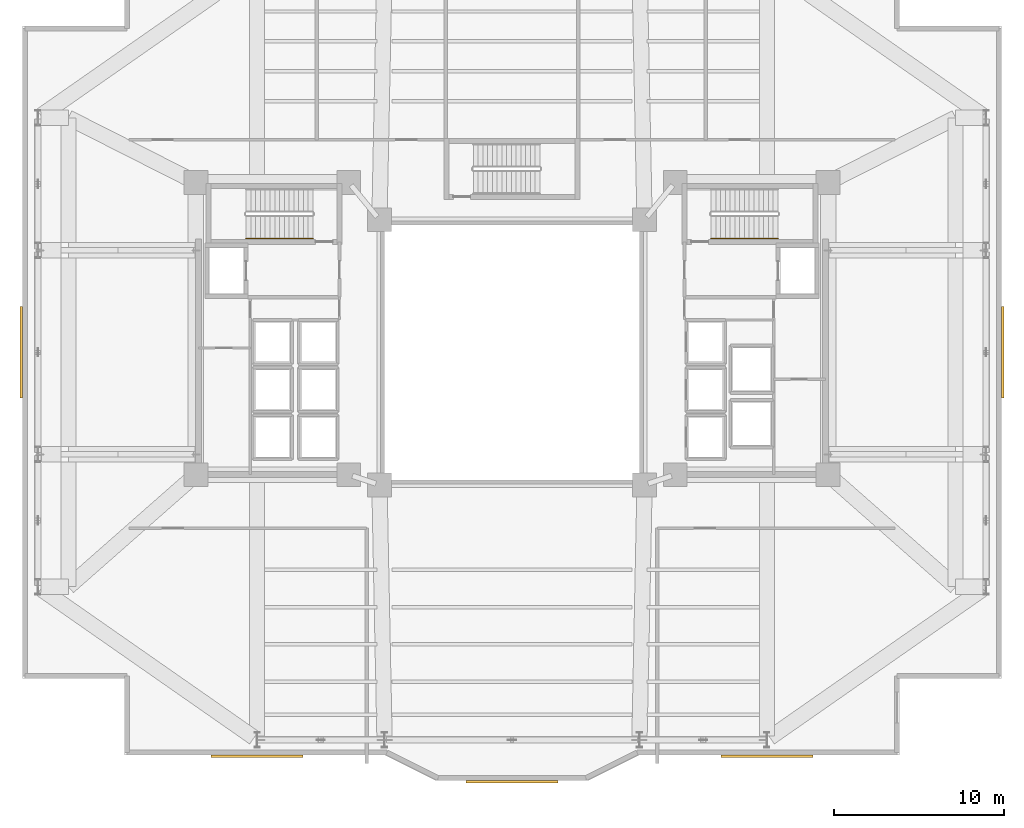
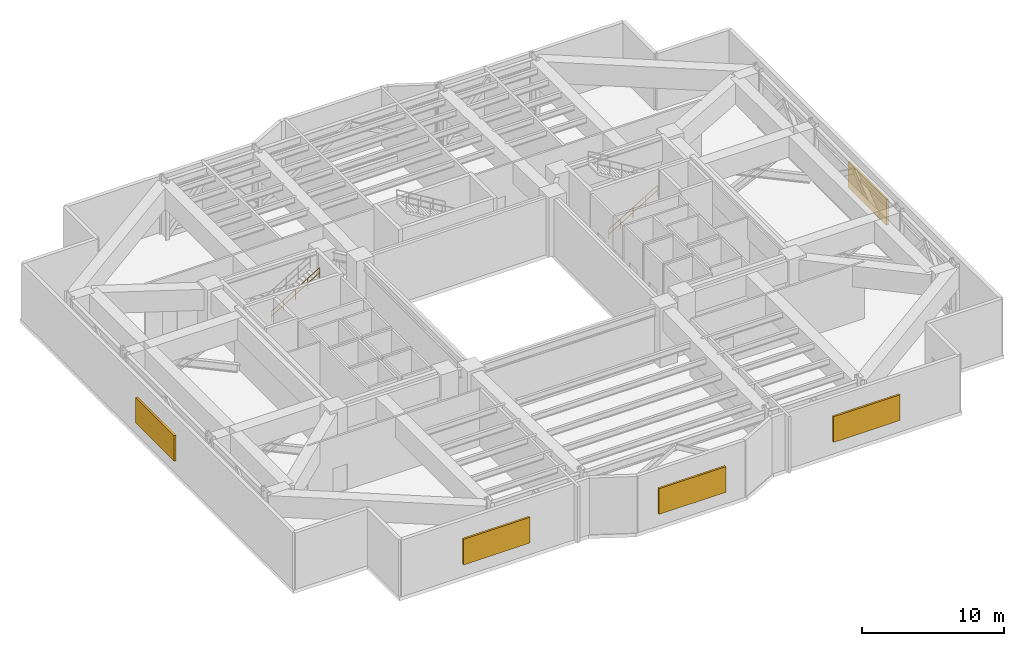
# One storey, part 11 of 12: 5 shading devices, 2 railings.
"""IFC4 building model written with IfcOpenShell, lengths in metres."""

import ifcopenshell
import ifcopenshell.guid

model = None  # the IFC model being written
_history = None  # IfcOwnerHistory: only IFC2X3 demands one
_inside = {}  # id of a spatial element -> (the spatial element, [elements in it])
_under = {}  # id of a project, library or spatial element -> (it, [spatial elements below it])
_declared = {}  # id of a project -> (the project, [libraries it declares])
_typed = {}  # id of a type object -> (the type object, [elements of that type])
_made_of = {}  # id of a material, layer set ... -> (it, [elements and type objects made of it])


def new_model(schema):
    """Start an empty IFC model of exactly this schema.

    Asked for "IFC4X3", IfcOpenShell would pick the latest addendum, in which some entities
    have other attributes; the version numbers below select the first issue.
    IFC2X3 requires an IfcOwnerHistory on every rooted entity: one is made here for all.
    """
    global model, _history
    if schema == "IFC4X3":
        model = ifcopenshell.file(schema_version=(4, 3, 0, 0))
    else:
        model = ifcopenshell.file(schema=schema)
    _inside.clear()
    _under.clear()
    _declared.clear()
    _typed.clear()
    _made_of.clear()
    _history = None
    if model.schema == "IFC2X3":
        org = make("IfcOrganization", Name="unknown")
        user = make(
            "IfcPersonAndOrganization",
            ThePerson=make("IfcPerson", FamilyName="unknown"),
            TheOrganization=org,
        )
        app = make(
            "IfcApplication",
            ApplicationDeveloper=org,
            Version="unknown",
            ApplicationFullName="unknown",
            ApplicationIdentifier="unknown",
        )
        _history = make(
            "IfcOwnerHistory",
            OwningUser=user,
            OwningApplication=app,
            ChangeAction="ADDED",
            CreationDate=0,
        )
    return model


def make(cls, **values):
    """One entity of the class cls with the attributes given. An attribute that is None is left unset."""
    return model.create_entity(
        cls, **{name: value for name, value in values.items() if value is not None}
    )


def rooted(cls, **values):
    """An entity with a GlobalId (a new one), such as an element, a storey or a relation."""
    return make(cls, GlobalId=ifcopenshell.guid.new(), OwnerHistory=_history, **values)


def si_unit(unit_type, name, prefix=None):
    """IfcSIUnit, for example si_unit("LENGTHUNIT", "METRE", prefix="MILLI")."""
    return make("IfcSIUnit", UnitType=unit_type, Prefix=prefix, Name=name)


def assignment(units):
    """IfcUnitAssignment: the units of a project."""
    return None if units is None else make("IfcUnitAssignment", Units=units)


def point(xyz):
    """IfcCartesianPoint."""
    return None if xyz is None else make("IfcCartesianPoint", Coordinates=xyz)


def direction(xyz):
    """IfcDirection."""
    return None if xyz is None else make("IfcDirection", DirectionRatios=xyz)


def frame(location, z_axis=None, x_axis=None):
    """IfcAxis2Placement3D, a coordinate frame: its origin and axes. An axis left out is left unset."""
    return make(
        "IfcAxis2Placement3D",
        Location=point(location),
        Axis=direction(z_axis),
        RefDirection=direction(x_axis),
    )


def frame_2d(location, x_axis=None):
    """IfcAxis2Placement2D, a coordinate frame in the plane: its origin and x axis."""
    return make(
        "IfcAxis2Placement2D", Location=point(location), RefDirection=direction(x_axis)
    )


def origin():
    """The frame at (0, 0, 0) with its axes left unset."""
    return frame((0.0, 0.0, 0.0))


def origin_2d():
    """The frame at (0, 0) in the plane with its x axis left unset."""
    return frame_2d((0.0, 0.0))


def place(relative_to, where):
    """IfcLocalPlacement: puts the frame where relative to a parent placement (None: the world)."""
    return make(
        "IfcLocalPlacement", PlacementRelTo=relative_to, RelativePlacement=where
    )


def context(
    kind, dimensions, precision=None, world=None, true_north=None, identifier=None
):
    """IfcGeometricRepresentationContext, for example the 3D "Model" context."""
    return make(
        "IfcGeometricRepresentationContext",
        ContextIdentifier=identifier,
        ContextType=kind,
        CoordinateSpaceDimension=dimensions,
        Precision=precision,
        WorldCoordinateSystem=world,
        TrueNorth=true_north,
    )


def subcontext(parent, identifier, kind, view, scale=None):
    """IfcGeometricRepresentationSubContext, for example "Body" below "Model"."""
    return make(
        "IfcGeometricRepresentationSubContext",
        ContextIdentifier=identifier,
        ContextType=kind,
        ParentContext=parent,
        TargetScale=scale,
        TargetView=view,
    )


def project(units=None, contexts=None):
    """IfcProject with its units and contexts."""
    return rooted(
        "IfcProject",
        Name="project",
        RepresentationContexts=contexts,
        UnitsInContext=assignment(units),
    )


def spatial(cls, under=None, at=None, **own):
    """A site, building, storey or space (cls), placed at a placement, below another one or the project."""
    s = rooted(cls, ObjectPlacement=at, **own)
    if under is not None:
        _under.setdefault(under.id(), (under, []))[1].append(s)
    return s


def profile(cls, at=None, kind="AREA", **sizes):
    """A parametric profile (cls). Its sizes go by their IFC names, for example OverallWidth=200.0."""
    return make(cls, ProfileType=kind, Position=at, **sizes)


def rectangle(**sizes):
    """IfcRectangleProfileDef."""
    return profile("IfcRectangleProfileDef", **sizes)


def circle(**sizes):
    """IfcCircleProfileDef."""
    return profile("IfcCircleProfileDef", **sizes)


def extrude(swept, where, along, depth):
    """IfcExtrudedAreaSolid: the profile swept, set in the frame where, extruded along a direction by depth."""
    return make(
        "IfcExtrudedAreaSolid",
        SweptArea=swept,
        Position=where,
        ExtrudedDirection=direction(along),
        Depth=depth,
    )


def shape(context_of_items, identifier, shape_type, items):
    """IfcShapeRepresentation: the items that make up one representation, for example the "Body"."""
    return make(
        "IfcShapeRepresentation",
        ContextOfItems=context_of_items,
        RepresentationIdentifier=identifier,
        RepresentationType=shape_type,
        Items=items,
    )


def material(Name=None, Category=None):
    """IfcMaterial."""
    return make("IfcMaterial", Name=Name, Category=Category)


def layer(
    of_material, thickness, ventilated=None, Name=None, Category=None, Priority=None
):
    """IfcMaterialLayer: one layer of a wall or slab, of a material (None: an air gap)."""
    return make(
        "IfcMaterialLayer",
        Material=of_material,
        LayerThickness=thickness,
        IsVentilated=ventilated,
        Name=Name,
        Category=Category,
        Priority=Priority,
    )


def layer_set(layers, Name=None):
    """IfcMaterialLayerSet."""
    return make("IfcMaterialLayerSet", MaterialLayers=layers, LayerSetName=Name)


def made_of(thing, what):
    """Note that an element or type object is made of a material, layer set ...; save() writes the relation."""
    if what is not None:
        _made_of.setdefault(what.id(), (what, []))[1].append(thing)
    return thing


def type_object(cls, material=None, **own):
    """A type object (cls), such as IfcWallType, which elements share."""
    return made_of(rooted(cls, **own), material)


def element(
    cls,
    number,
    at=None,
    inside=None,
    cuts=None,
    type_object=None,
    material=None,
    context=None,
    identifier="Body",
    shape_type=None,
    held_by="IfcProductDefinitionShape",
    body=None,
    shapes=None,
    **own,
):
    """One element of the class cls, such as IfcWall. Its Tag is "e" and its number.

    at: its placement. inside: the storey or other place that contains it. cuts: it is an
    opening in that element (IfcRelVoidsElement). A single representation is given by context,
    identifier, shape_type and body (its items); several are given by shapes. held_by: the class
    of the entity that holds the representations. save() writes the other relations.
    """
    e = rooted(cls, Tag="e%d" % number, ObjectPlacement=at, **own)
    if body is not None:
        shapes = [shape(context, identifier, shape_type, body)]
    if shapes is not None:
        e.Representation = make(held_by, Representations=shapes)
    if inside is not None:
        _inside.setdefault(inside.id(), (inside, []))[1].append(e)
    if cuts is not None:
        rooted(
            "IfcRelVoidsElement", RelatingBuildingElement=cuts, RelatedOpeningElement=e
        )
    if type_object is not None:
        _typed.setdefault(type_object.id(), (type_object, []))[1].append(e)
    return made_of(e, material)


def aggregate(whole, parts):
    """IfcRelAggregates: a whole, such as a stair, and the parts it consists of."""
    return rooted("IfcRelAggregates", RelatingObject=whole, RelatedObjects=parts)


def save(model, path):
    """Write the relations noted so far, then the file.

    IfcRelAggregates (storeys below a building ...), IfcRelContainedInSpatialStructure (elements
    in a storey), IfcRelDefinesByType, IfcRelAssociatesMaterial and IfcRelDeclares: one each for
    every whole, place, type object, material and project.
    """
    for whole, parts in _under.values():
        aggregate(whole, parts)
    for where, things in _inside.values():
        rooted(
            "IfcRelContainedInSpatialStructure",
            RelatedElements=things,
            RelatingStructure=where,
        )
    for kind, things in _typed.values():
        rooted("IfcRelDefinesByType", RelatedObjects=things, RelatingType=kind)
    for what, things in _made_of.values():
        rooted("IfcRelAssociatesMaterial", RelatedObjects=things, RelatingMaterial=what)
    for by, libraries in _declared.values():
        rooted("IfcRelDeclares", RelatingContext=by, RelatedDefinitions=libraries)
    model.write(path)


model = new_model("IFC4")

# Units and contexts
model_context = context("Model", 3, precision=1e-05, world=origin(), true_north=direction((0.0, 1.0)))
body_context = subcontext(model_context, "Body", "Model", "MODEL_VIEW")
ifc_project = project(units=[si_unit("LENGTHUNIT", "METRE"), si_unit("AREAUNIT", "SQUARE_METRE"), si_unit("VOLUMEUNIT", "CUBIC_METRE"), si_unit("PLANEANGLEUNIT", "RADIAN"), si_unit("MASSUNIT", "GRAM", prefix="KILO")], contexts=[model_context])

# Site, building, storey
site_placement = place(None, origin())
site = spatial("IfcSite", under=ifc_project, at=site_placement, CompositionType="ELEMENT")
building_placement = place(site_placement, origin())
building = spatial("IfcBuilding", under=site, at=building_placement, Name="Tarnavaz Court Tower", CompositionType="ELEMENT")
storey_placement = place(building_placement, frame((0.0, 0.0, 73.199951171875)))
storey = spatial("IfcBuildingStorey", under=building, at=storey_placement, Name="L19", CompositionType="ELEMENT", Elevation=73.199951171875)

# Railings
ifc_material_1 = material(Name="Brushed Stainless Steel", Category="steel")
railing_type = type_object("IfcRailingType", Name="RL-HANDRAIL-900", PredefinedType="HANDRAIL", material=ifc_material_1)
railing_1_placement = place(storey_placement, frame((-15.639892578125, 6.699951171875, 2.719970703125)))
element("IfcRailing", 1, at=railing_1_placement, inside=storey, type_object=railing_type, Name="L19 ST-W1 stair handrail 2", PredefinedType="HANDRAIL", context=body_context, shape_type="SweptSolid", body=[
    extrude(circle(Radius=0.02392578125, at=origin_2d()), frame((0.0, 0.0, 0.8759765625), z_axis=(0.854770645689, 0.0, 0.519005918337), x_axis=(0.0, 1.0, 0.0)), (0.0, 0.0, 1.0), 4.5859375),
    extrude(circle(Radius=0.02392578125, at=origin_2d()), frame((0.0, 0.0, 0.449951171875), z_axis=(0.854770645689, 0.0, 0.519005918337), x_axis=(0.0, 1.0, 0.0)), (0.0, 0.0, 1.0), 4.5859375),
    extrude(circle(Radius=0.02099609375, at=origin_2d()), origin(), (0.0, 0.0, 1.0), 0.851806640625),
    extrude(circle(Radius=0.02099609375, at=origin_2d()), frame((0.97998046875, 0.0, 0.594970703125)), (0.0, 0.0, 1.0), 0.851806640625),
    extrude(circle(Radius=0.02099609375, at=origin_2d()), frame((1.9599609375, 0.0, 1.18994140625)), (0.0, 0.0, 1.0), 0.851806640625),
    extrude(circle(Radius=0.02099609375, at=origin_2d()), frame((2.93994140625, 0.0, 1.78515625)), (0.0, 0.0, 1.0), 0.851806640625),
    extrude(circle(Radius=0.02099609375, at=origin_2d()), frame((3.919921875, 0.0, 2.380126953125)), (0.0, 0.0, 1.0), 0.851806640625),
])
railing_2_placement = place(storey_placement, frame((11.719970703125, 6.699951171875, 0.170166015625)))
element("IfcRailing", 2, at=railing_2_placement, inside=storey, type_object=railing_type, Name="L19 ST-E1 stair handrail 1", PredefinedType="HANDRAIL", context=body_context, shape_type="SweptSolid", body=[
    extrude(circle(Radius=0.02392578125, at=origin_2d()), frame((0.0, 0.0, 0.8759765625), z_axis=(0.854794262968, 0.0, 0.518967020143), x_axis=(0.0, 1.0, 0.0)), (0.0, 0.0, 1.0), 4.585693359375),
    extrude(circle(Radius=0.02392578125, at=origin_2d()), frame((0.0, 0.0, 0.449951171875), z_axis=(0.854794262968, 0.0, 0.518967020143), x_axis=(0.0, 1.0, 0.0)), (0.0, 0.0, 1.0), 4.585693359375),
    extrude(circle(Radius=0.02099609375, at=origin_2d()), origin(), (0.0, 0.0, 1.0), 0.851806640625),
    extrude(circle(Radius=0.02099609375, at=origin_2d()), frame((0.97998046875, 0.0, 0.594970703125)), (0.0, 0.0, 1.0), 0.851806640625),
    extrude(circle(Radius=0.02099609375, at=origin_2d()), frame((1.9599609375, 0.0, 1.18994140625)), (0.0, 0.0, 1.0), 0.851806640625),
    extrude(circle(Radius=0.02099609375, at=origin_2d()), frame((2.93994140625, 0.0, 1.784912109375)), (0.0, 0.0, 1.0), 0.851806640625),
    extrude(circle(Radius=0.02099609375, at=origin_2d()), frame((3.919921875, 0.0, 2.3798828125)), (0.0, 0.0, 1.0), 0.851806640625),
])

# Shading devices
ifc_material_2 = material(Name="Anodised Aluminium 6063-T6 Acoustic Louvre", Category="aluminium")
ifc_layer = layer(ifc_material_2, 0.159912109375)
ifc_layer_set = layer_set([ifc_layer], Name="Anodised Aluminium 6063-T6 Acoustic Louvre")
shading_device_type = type_object("IfcShadingDeviceType", Name="SD-LOUV-200", PredefinedType="JALOUSIE", material=ifc_layer_set)
for number, where, z_axis, x_axis, name in (
    (3, (-28.8701171875, 0.0, 1.10009765625), (0.0, 0.0, 1.0), (0.0, 1.0, 0.0), "L19 Plant Sand-Trap Acoustic Louvre 02"),
    (4, (28.8701171875, 0.0, 1.10009765625), (0.0, 0.0, 1.0), (0.0, -1.0, 0.0), "L19 Plant Sand-Trap Acoustic Louvre 12"),
    (5, (15.0, -23.77001953125, 1.10009765625), (0.0, 0.0, 1.0), (-1.0, 0.0, 0.0), "L19 Plant Sand-Trap Acoustic Louvre 15"),
    (6, (0.0, -25.27001953125, 1.10009765625), (0.0, 0.0, 1.0), (-1.0, 0.0, 0.0), "L19 Plant Sand-Trap Acoustic Louvre 17"),
    (7, (-15.0, -23.77001953125, 1.10009765625), (0.0, 0.0, 1.0), (-1.0, 0.0, 0.0), "L19 Plant Sand-Trap Acoustic Louvre 19"),
):
    element("IfcShadingDevice", number, at=place(storey_placement, frame(where, z_axis=z_axis, x_axis=x_axis)), inside=storey, type_object=shading_device_type, Name=name, PredefinedType="JALOUSIE", context=body_context, shape_type="SweptSolid", body=[
        extrude(rectangle(XDim=5.39990234375, YDim=0.159912109375, at=origin_2d()), origin(), (0.0, 0.0, 1.0), 2.199951171875),
    ])

save(model, "model.ifc")
